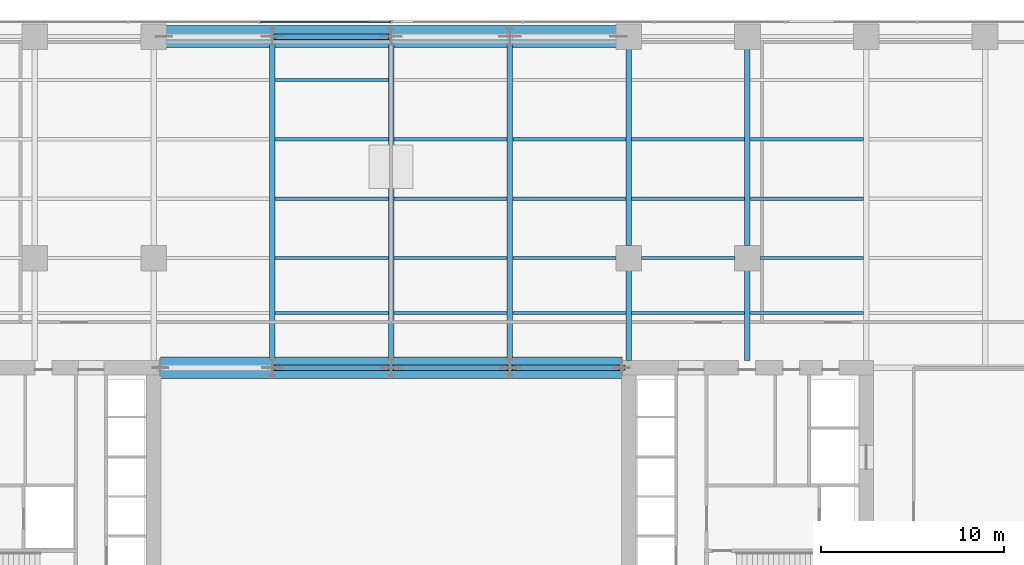
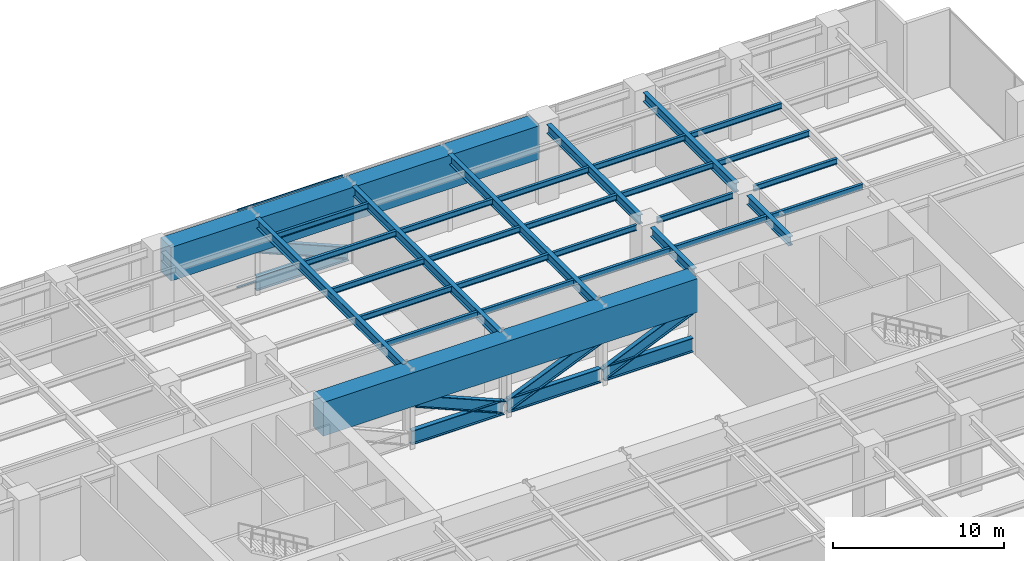
# One storey, part 12 of 25: 34 beams, 6 members, 1 element without a shape of its own.
"""IFC4 building model written with IfcOpenShell, lengths in metres."""

from ifc_helpers import new_model, si_unit, direction, frame, origin, origin_2d, place, context, subcontext, project, spatial, rectangle, i_section, extrude, material, layer, layer_set, material_profile, profile_set, type_object, element, aggregate, save


model = new_model("IFC4")

# Units and contexts
model_context = context("Model", 3, precision=1e-05, world=origin(), true_north=direction((0.0, 1.0)))
body_context = subcontext(model_context, "Body", "Model", "MODEL_VIEW")
ifc_project = project(units=[si_unit("LENGTHUNIT", "METRE"), si_unit("AREAUNIT", "SQUARE_METRE"), si_unit("VOLUMEUNIT", "CUBIC_METRE"), si_unit("PLANEANGLEUNIT", "RADIAN"), si_unit("MASSUNIT", "GRAM", prefix="KILO")], contexts=[model_context])

# Site, building, storey
site_placement = place(None, origin())
site = spatial("IfcSite", under=ifc_project, at=site_placement, CompositionType="ELEMENT")
building_placement = place(site_placement, origin())
building = spatial("IfcBuilding", under=site, at=building_placement, Name="Putna Gate Headquarters", CompositionType="ELEMENT")
storey_placement = place(building_placement, frame((0.0, 0.0, 22.0)))
storey = spatial("IfcBuildingStorey", under=building, at=storey_placement, Name="L04", CompositionType="ELEMENT", Elevation=22.0)

# Beams
ifc_material_1 = material(Name="Steel S355J2", Category="steel")
ifc_material_profile_1 = material_profile(ifc_material_1, i_section(OverallWidth=0.300048828125, OverallDepth=0.64990234375, WebThickness=0.01611328125, FlangeThickness=0.031005859375, at=origin_2d()), Name="Steel S355J2")
ifc_profile_set_1 = profile_set([ifc_material_profile_1], Name="Steel S355J2")
beam_type_1 = type_object("IfcBeamType", Name="BM-GIRD-Z1-HEB650", PredefinedType="USERDEFINED", material=ifc_profile_set_1)
for number, where, z_axis, x_axis, name in (
    (1, (32.5, 33.443115234375, 5.22509765625), (0.0, 1.0, 0.0), (-1.0, 0.0, 0.0), "L04 North Primary Girder X32"),
    (2, (39.0, 33.443115234375, 5.22509765625), (0.0, 1.0, 0.0), (-1.0, 0.0, 0.0), "L04 North Primary Girder X39"),
    (3, (45.5, 33.443115234375, 5.22509765625), (0.0, 1.0, 0.0), (-1.0, 0.0, 0.0), "L04 North Primary Girder X45"),
):
    element("IfcBeam", number, at=place(storey_placement, frame(where, z_axis=z_axis, x_axis=x_axis)), inside=storey, type_object=beam_type_1, Name=name, ObjectType="GIRDER", PredefinedType="USERDEFINED", context=body_context, shape_type="SweptSolid", body=[
        extrude(i_section(OverallWidth=0.300048828125, OverallDepth=0.64990234375, WebThickness=0.01611328125, FlangeThickness=0.031005859375, at=origin_2d()), origin(), (0.0, 0.0, 1.0), 17.23388671875),
    ])
beam_1_placement = place(storey_placement, frame((52.0, 33.385009765625, 5.22509765625), z_axis=(0.0, 1.0, 0.0), x_axis=(-1.0, 0.0, 0.0)))
element("IfcBeam", 4, at=beam_1_placement, inside=storey, type_object=beam_type_1, Name="L04 North Primary Girder X52-1", ObjectType="GIRDER", PredefinedType="USERDEFINED", context=body_context, shape_type="SweptSolid", body=[
    extrude(i_section(OverallWidth=0.300048828125, OverallDepth=0.64990234375, WebThickness=0.01611328125, FlangeThickness=0.031005859375, at=origin_2d()), origin(), (0.0, 0.0, 1.0), 4.927001953125),
])
beam_2_placement = place(storey_placement, frame((52.0, 39.68798828125, 5.22509765625), z_axis=(0.0, 1.0, 0.0), x_axis=(-1.0, 0.0, 0.0)))
element("IfcBeam", 5, at=beam_2_placement, inside=storey, type_object=beam_type_1, Name="L04 North Primary Girder X52-2", ObjectType="GIRDER", PredefinedType="USERDEFINED", context=body_context, shape_type="SweptSolid", body=[
    extrude(i_section(OverallWidth=0.300048828125, OverallDepth=0.64990234375, WebThickness=0.01611328125, FlangeThickness=0.031005859375, at=origin_2d()), origin(), (0.0, 0.0, 1.0), 10.743896484375),
])
beam_3_placement = place(storey_placement, frame((58.5, 33.385009765625, 5.22509765625), z_axis=(0.0, 1.0, 0.0), x_axis=(-1.0, 0.0, 0.0)))
element("IfcBeam", 6, at=beam_3_placement, inside=storey, type_object=beam_type_1, Name="L04 North Primary Girder X58-1", ObjectType="GIRDER", PredefinedType="USERDEFINED", context=body_context, shape_type="SweptSolid", body=[
    extrude(i_section(OverallWidth=0.300048828125, OverallDepth=0.64990234375, WebThickness=0.01611328125, FlangeThickness=0.031005859375, at=origin_2d()), origin(), (0.0, 0.0, 1.0), 4.927001953125),
])
beam_4_placement = place(storey_placement, frame((58.5, 39.68798828125, 5.22509765625), z_axis=(0.0, 1.0, 0.0), x_axis=(-1.0, 0.0, 0.0)))
element("IfcBeam", 7, at=beam_4_placement, inside=storey, type_object=beam_type_1, Name="L04 North Primary Girder X58-2", ObjectType="GIRDER", PredefinedType="USERDEFINED", context=body_context, shape_type="SweptSolid", body=[
    extrude(i_section(OverallWidth=0.300048828125, OverallDepth=0.64990234375, WebThickness=0.01611328125, FlangeThickness=0.031005859375, at=origin_2d()), origin(), (0.0, 0.0, 1.0), 10.743896484375),
])
ifc_material_profile_2 = material_profile(ifc_material_1, i_section(OverallWidth=0.179931640625, OverallDepth=0.39990234375, WebThickness=0.008544921875, FlangeThickness=0.013427734375, at=origin_2d()), Name="Steel S355J2")
ifc_profile_set_2 = profile_set([ifc_material_profile_2], Name="Steel S355J2")
beam_type_2 = type_object("IfcBeamType", Name="BM-SEC-Z1-IPE400", PredefinedType="BEAM", material=ifc_profile_set_2)
for number, where, z_axis, x_axis, name in (
    (8, (32.654052734375, 36.0, 5.35009765625), (1.0, 0.0, 0.0), (0.0, 1.0, 0.0), "L04 North Secondary Beam 5"),
    (9, (32.654052734375, 39.0, 5.35009765625), (1.0, 0.0, 0.0), (0.0, 1.0, 0.0), "L04 North Secondary Beam 5"),
    (10, (32.654052734375, 42.25, 5.35009765625), (1.0, 0.0, 0.0), (0.0, 1.0, 0.0), "L04 North Secondary Beam 5"),
    (11, (32.654052734375, 45.5, 5.35009765625), (1.0, 0.0, 0.0), (0.0, 1.0, 0.0), "L04 North Secondary Beam 5"),
    (12, (32.654052734375, 48.75, 5.35009765625), (1.0, 0.0, 0.0), (0.0, 1.0, 0.0), "L04 North Secondary Beam 5"),
    (13, (39.154052734375, 36.0, 5.35009765625), (1.0, 0.0, 0.0), (0.0, 1.0, 0.0), "L04 North Secondary Beam 6"),
    (14, (39.154052734375, 39.0, 5.35009765625), (1.0, 0.0, 0.0), (0.0, 1.0, 0.0), "L04 North Secondary Beam 6"),
    (15, (39.154052734375, 42.25, 5.35009765625), (1.0, 0.0, 0.0), (0.0, 1.0, 0.0), "L04 North Secondary Beam 6"),
    (16, (39.154052734375, 45.5, 5.35009765625), (1.0, 0.0, 0.0), (0.0, 1.0, 0.0), "L04 North Secondary Beam 6"),
    (17, (45.654052734375, 36.0, 5.35009765625), (1.0, 0.0, 0.0), (0.0, 1.0, 0.0), "L04 North Secondary Beam 7"),
):
    element("IfcBeam", number, at=place(storey_placement, frame(where, z_axis=z_axis, x_axis=x_axis)), inside=storey, type_object=beam_type_2, Name=name, PredefinedType="BEAM", context=body_context, shape_type="SweptSolid", body=[
        extrude(i_section(OverallWidth=0.179931640625, OverallDepth=0.39990234375, WebThickness=0.008544921875, FlangeThickness=0.013427734375, at=origin_2d()), origin(), (0.0, 0.0, 1.0), 6.19189453125),
    ])
beam_5_placement = place(storey_placement, frame((45.654052734375, 39.0, 5.35009765625), z_axis=(1.0, 0.0, 0.0), x_axis=(0.0, 1.0, 0.0)))
element("IfcBeam", 18, at=beam_5_placement, inside=storey, type_object=beam_type_2, Name="L04 North Secondary Beam 7", PredefinedType="BEAM", context=body_context, shape_type="SweptSolid", body=[
    extrude(i_section(OverallWidth=0.179931640625, OverallDepth=0.39990234375, WebThickness=0.008544921875, FlangeThickness=0.013427734375, at=origin_2d()), origin(), (0.0, 0.0, 1.0), 5.657958984375),
])
for number, where, z_axis, x_axis, name in (
    (19, (45.654052734375, 42.25, 5.35009765625), (1.0, 0.0, 0.0), (0.0, 1.0, 0.0), "L04 North Secondary Beam 7"),
    (20, (45.654052734375, 45.5, 5.35009765625), (1.0, 0.0, 0.0), (0.0, 1.0, 0.0), "L04 North Secondary Beam 7"),
    (21, (52.154052734375, 36.0, 5.35009765625), (1.0, 0.0, 0.0), (0.0, 1.0, 0.0), "L04 North Secondary Beam 8"),
):
    element("IfcBeam", number, at=place(storey_placement, frame(where, z_axis=z_axis, x_axis=x_axis)), inside=storey, type_object=beam_type_2, Name=name, PredefinedType="BEAM", context=body_context, shape_type="SweptSolid", body=[
        extrude(i_section(OverallWidth=0.179931640625, OverallDepth=0.39990234375, WebThickness=0.008544921875, FlangeThickness=0.013427734375, at=origin_2d()), origin(), (0.0, 0.0, 1.0), 6.19189453125),
    ])
beam_6_placement = place(storey_placement, frame((52.68798828125, 39.0, 5.35009765625), z_axis=(1.0, 0.0, 0.0), x_axis=(0.0, 1.0, 0.0)))
element("IfcBeam", 22, at=beam_6_placement, inside=storey, type_object=beam_type_2, Name="L04 North Secondary Beam 8", PredefinedType="BEAM", context=body_context, shape_type="SweptSolid", body=[
    extrude(i_section(OverallWidth=0.179931640625, OverallDepth=0.39990234375, WebThickness=0.008544921875, FlangeThickness=0.013427734375, at=origin_2d()), origin(), (0.0, 0.0, 1.0), 5.1240234375),
])
for number, where, z_axis, x_axis, name in (
    (23, (52.154052734375, 42.25, 5.35009765625), (1.0, 0.0, 0.0), (0.0, 1.0, 0.0), "L04 North Secondary Beam 8"),
    (24, (52.154052734375, 45.5, 5.35009765625), (1.0, 0.0, 0.0), (0.0, 1.0, 0.0), "L04 North Secondary Beam 8"),
    (25, (58.654052734375, 36.0, 5.35009765625), (1.0, 0.0, 0.0), (0.0, 1.0, 0.0), "L04 North Secondary Beam 9"),
):
    element("IfcBeam", number, at=place(storey_placement, frame(where, z_axis=z_axis, x_axis=x_axis)), inside=storey, type_object=beam_type_2, Name=name, PredefinedType="BEAM", context=body_context, shape_type="SweptSolid", body=[
        extrude(i_section(OverallWidth=0.179931640625, OverallDepth=0.39990234375, WebThickness=0.008544921875, FlangeThickness=0.013427734375, at=origin_2d()), origin(), (0.0, 0.0, 1.0), 6.19189453125),
    ])
beam_7_placement = place(storey_placement, frame((59.18798828125, 39.0, 5.35009765625), z_axis=(1.0, 0.0, 0.0), x_axis=(0.0, 1.0, 0.0)))
element("IfcBeam", 26, at=beam_7_placement, inside=storey, type_object=beam_type_2, Name="L04 North Secondary Beam 9", PredefinedType="BEAM", context=body_context, shape_type="SweptSolid", body=[
    extrude(i_section(OverallWidth=0.179931640625, OverallDepth=0.39990234375, WebThickness=0.008544921875, FlangeThickness=0.013427734375, at=origin_2d()), origin(), (0.0, 0.0, 1.0), 5.657958984375),
])
for number, where, z_axis, x_axis, name in (
    (27, (58.654052734375, 42.25, 5.35009765625), (1.0, 0.0, 0.0), (0.0, 1.0, 0.0), "L04 North Secondary Beam 9"),
    (28, (58.654052734375, 45.5, 5.35009765625), (1.0, 0.0, 0.0), (0.0, 1.0, 0.0), "L04 North Secondary Beam 9"),
):
    element("IfcBeam", number, at=place(storey_placement, frame(where, z_axis=z_axis, x_axis=x_axis)), inside=storey, type_object=beam_type_2, Name=name, PredefinedType="BEAM", context=body_context, shape_type="SweptSolid", body=[
        extrude(i_section(OverallWidth=0.179931640625, OverallDepth=0.39990234375, WebThickness=0.008544921875, FlangeThickness=0.013427734375, at=origin_2d()), origin(), (0.0, 0.0, 1.0), 6.19189453125),
    ])
ifc_material_2 = material(Name="Steel S460M", Category="steel")
ifc_material_profile_3 = material_profile(ifc_material_2, i_section(OverallWidth=0.302001953125, OverallDepth=1.008056640625, WebThickness=0.02099609375, FlangeThickness=0.0400390625, at=origin_2d()), Name="Steel S460M")
ifc_profile_set_3 = profile_set([ifc_material_profile_3], Name="Steel S460M")
beam_type_3 = type_object("IfcBeamType", Name="BM-TG-HEM1000", PredefinedType="USERDEFINED", material=ifc_profile_set_3)
for number, where, z_axis, x_axis, name in (
    (29, (32.639892578125, 33.0, 0.550048828125), (1.0, 0.0, 0.0), (0.0, 1.0, 0.0), "L04 Transfer Truss AN Bottom Chord Girder 2"),
    (30, (39.139892578125, 33.0, 0.550048828125), (1.0, 0.0, 0.0), (0.0, 1.0, 0.0), "L04 Transfer Truss AN Bottom Chord Girder 3"),
):
    element("IfcBeam", number, at=place(storey_placement, frame(where, z_axis=z_axis, x_axis=x_axis)), inside=storey, type_object=beam_type_3, Name=name, ObjectType="GIRDER", PredefinedType="USERDEFINED", context=body_context, shape_type="SweptSolid", body=[
        extrude(i_section(OverallWidth=0.302001953125, OverallDepth=1.008056640625, WebThickness=0.02099609375, FlangeThickness=0.0400390625, at=origin_2d()), origin(), (0.0, 0.0, 1.0), 6.22021484375),
    ])
beam_8_placement = place(storey_placement, frame((45.639892578125, 33.0, 0.550048828125), z_axis=(1.0, 0.0, 0.0), x_axis=(0.0, 1.0, 0.0)))
element("IfcBeam", 31, at=beam_8_placement, inside=storey, type_object=beam_type_3, Name="L04 Transfer Truss AN Bottom Chord Girder 4", ObjectType="GIRDER", PredefinedType="USERDEFINED", context=body_context, shape_type="SweptSolid", body=[
    extrude(i_section(OverallWidth=0.302001953125, OverallDepth=1.008056640625, WebThickness=0.02099609375, FlangeThickness=0.0400390625, at=origin_2d()), origin(), (0.0, 0.0, 1.0), 5.980224609375),
])
ifc_material_profile_4 = material_profile(ifc_material_2, i_section(OverallWidth=0.302001953125, OverallDepth=1.008056640625, WebThickness=0.02099609375, FlangeThickness=0.0400390625, at=origin_2d()), Name="Steel S460M")
ifc_profile_set_4 = profile_set([ifc_material_profile_4], Name="Steel S460M")
beam_type_4 = type_object("IfcBeamType", Name="BM-TG-HEM1000-EXT", PredefinedType="USERDEFINED", material=ifc_profile_set_4)
beam_9_placement = place(storey_placement, frame((32.639892578125, 51.1201171875, 0.550048828125), z_axis=(1.0, 0.0, 0.0), x_axis=(0.0, 1.0, 0.0)))
element("IfcBeam", 32, at=beam_9_placement, inside=storey, type_object=beam_type_4, Name="L04 Transfer Truss N Bottom Chord Girder 2", ObjectType="GIRDER", PredefinedType="USERDEFINED", context=body_context, shape_type="SweptSolid", body=[
    extrude(i_section(OverallWidth=0.302001953125, OverallDepth=1.008056640625, WebThickness=0.02099609375, FlangeThickness=0.0400390625, at=origin_2d()), origin(), (0.0, 0.0, 1.0), 6.22021484375),
])
ifc_material_3 = material(Name="Concrete C50/60", Category="concrete")
ifc_material_profile_5 = material_profile(ifc_material_3, rectangle(XDim=1.199951171875, YDim=2.39990234375, at=origin_2d()), Name="Concrete C50/60")
ifc_profile_set_5 = profile_set([ifc_material_profile_5], Name="Concrete C50/60")
beam_type_5 = type_object("IfcBeamType", Name="BM-TG-RC2400", PredefinedType="USERDEFINED", material=ifc_profile_set_5)
beam_10_placement = place(storey_placement, frame((26.3798828125, 33.0, 4.35009765625), z_axis=(1.0, 0.0, 0.0), x_axis=(0.0, 1.0, 0.0)))
element("IfcBeam", 33, at=beam_10_placement, inside=storey, type_object=beam_type_5, Name="L04 Upper Transfer Girder AN", ObjectType="GIRDER", PredefinedType="USERDEFINED", context=body_context, shape_type="SweptSolid", body=[
    extrude(rectangle(XDim=1.199951171875, YDim=2.39990234375, at=origin_2d()), origin(), (0.0, 0.0, 1.0), 25.240234375),
])
ifc_material_profile_6 = material_profile(ifc_material_3, rectangle(XDim=1.199951171875, YDim=2.39990234375, at=origin_2d()), Name="Concrete C50/60")
ifc_profile_set_6 = profile_set([ifc_material_profile_6], Name="Concrete C50/60")
beam_type_6 = type_object("IfcBeamType", Name="BM-TG-RC2400-EXT", PredefinedType="USERDEFINED", material=ifc_profile_set_6)
beam_11_placement = place(storey_placement, frame((26.56005859375, 51.1201171875, 4.35009765625), z_axis=(1.0, 0.0, 0.0), x_axis=(0.0, 1.0, 0.0)))
element("IfcBeam", 34, at=beam_11_placement, inside=storey, type_object=beam_type_6, Name="L04 Upper Transfer Girder N", ObjectType="GIRDER", PredefinedType="USERDEFINED", context=body_context, shape_type="SweptSolid", body=[
    extrude(rectangle(XDim=1.199951171875, YDim=2.39990234375, at=origin_2d()), origin(), (0.0, 0.0, 1.0), 24.8798828125),
])

# Members
ifc_material_profile_7 = material_profile(ifc_material_2, i_section(OverallWidth=0.302978515625, OverallDepth=0.81396484375, WebThickness=0.02099609375, FlangeThickness=0.0400390625, at=origin_2d()), Name="Steel S460M")
ifc_profile_set_7 = profile_set([ifc_material_profile_7], Name="Steel S460M")
member_type_1 = type_object("IfcMemberType", Name="MEM-TRUSS-DIAG-EXT-HEM800", PredefinedType="BRACE", material=ifc_profile_set_7)
member_1_placement = place(storey_placement, frame((32.639892578125, 51.1201171875, 3.179931640625), z_axis=(0.921060029632, 0.0, -0.389420623251), x_axis=(0.0, 1.0, 0.0)))
element("IfcMember", 35, at=member_1_placement, inside=storey, type_object=member_type_1, Name="L04 Transfer Truss N Diagonal 2", PredefinedType="BRACE", context=body_context, shape_type="SweptSolid", body=[
    extrude(i_section(OverallWidth=0.302978515625, OverallDepth=0.81396484375, WebThickness=0.02099609375, FlangeThickness=0.0400390625, at=origin_2d()), origin(), (0.0, 0.0, 1.0), 6.75341796875),
])
ifc_material_profile_8 = material_profile(ifc_material_2, i_section(OverallWidth=0.302978515625, OverallDepth=0.81396484375, WebThickness=0.02099609375, FlangeThickness=0.0400390625, at=origin_2d()), Name="Steel S460M")
ifc_profile_set_8 = profile_set([ifc_material_profile_8], Name="Steel S460M")
member_type_2 = type_object("IfcMemberType", Name="MEM-TRUSS-DIAG-HEM800", PredefinedType="BRACE", material=ifc_profile_set_8)
for number, where, z_axis, x_axis, name in (
    (36, (32.639892578125, 33.0, 3.179931640625), (0.921060029632, 0.0, -0.389420623251), (0.0, 1.0, 0.0), "L04 Transfer Truss AN Diagonal 2"),
    (37, (39.139892578125, 33.0, 0.550048828125), (0.921060029632, 0.0, 0.389420623251), (0.0, 1.0, 0.0), "L04 Transfer Truss AN Diagonal 3"),
):
    element("IfcMember", number, at=place(storey_placement, frame(where, z_axis=z_axis, x_axis=x_axis)), inside=storey, type_object=member_type_2, Name=name, PredefinedType="BRACE", context=body_context, shape_type="SweptSolid", body=[
        extrude(i_section(OverallWidth=0.302978515625, OverallDepth=0.81396484375, WebThickness=0.02099609375, FlangeThickness=0.0400390625, at=origin_2d()), origin(), (0.0, 0.0, 1.0), 6.75341796875),
    ])
member_2_placement = place(storey_placement, frame((45.639892578125, 33.0, 0.550048828125), z_axis=(0.915394915537, 0.0, 0.402557012867), x_axis=(0.0, 1.0, 0.0)))
element("IfcMember", 38, at=member_2_placement, inside=storey, type_object=member_type_2, Name="L04 Transfer Truss AN Diagonal 4", PredefinedType="BRACE", context=body_context, shape_type="SweptSolid", body=[
    extrude(i_section(OverallWidth=0.302978515625, OverallDepth=0.81396484375, WebThickness=0.02099609375, FlangeThickness=0.0400390625, at=origin_2d()), origin(), (0.0, 0.0, 1.0), 6.532958984375),
])

# Curtain wall, members
ifc_material_4 = material(Name="Anodised bronze aluminium curtain wall", Category="aluminium")
ifc_layer = layer(ifc_material_4, 0.159912109375)
ifc_layer_set = layer_set([ifc_layer], Name="Anodised bronze aluminium curtain wall")
curtain_wall_type = type_object("IfcCurtainWallType", Name="CW-SYS-CRN", PredefinedType="USERDEFINED", material=ifc_layer_set)
curtain_wall_placement = place(storey_placement, origin())
curtain_wall = element("IfcCurtainWall", 39, at=curtain_wall_placement, inside=storey, type_object=curtain_wall_type, Name="L04 Acoustic Louvre North Enclosure", ObjectType="STICK CURTAIN WALL", PredefinedType="USERDEFINED")
ifc_material_5 = material(Name="Anodised bronze aluminium EN AW-6060", Category="aluminium")
ifc_material_profile_9 = material_profile(ifc_material_5, rectangle(XDim=0.06494140625, YDim=0.1201171875, at=origin_2d()), Name="Anodised bronze aluminium EN AW-6060")
ifc_profile_set_9 = profile_set([ifc_material_profile_9], Name="Anodised bronze aluminium EN AW-6060")
member_type_3 = type_object("IfcMemberType", Name="TRAN-CWT-CR", PredefinedType="USERDEFINED", material=ifc_profile_set_9)
member_3_placement = place(storey_placement, frame((31.83251953125, 51.919921875, 0.032470703125), z_axis=(1.0, 0.0, 0.0), x_axis=(0.0, 1.0, 0.0)))
member_3 = element("IfcMember", 40, at=member_3_placement, type_object=member_type_3, Name="CWS-CR transom 5.1", ObjectType="TRANSOM", PredefinedType="USERDEFINED", context=body_context, shape_type="SweptSolid", body=[
    extrude(rectangle(XDim=0.06494140625, YDim=0.1201171875, at=origin_2d()), origin(), (0.0, 0.0, 1.0), 7.135009765625),
])
member_4_placement = place(storey_placement, frame((31.83251953125, 51.919921875, 5.517578125), z_axis=(1.0, 0.0, 0.0), x_axis=(0.0, 1.0, 0.0)))
member_4 = element("IfcMember", 41, at=member_4_placement, type_object=member_type_3, Name="CWS-CR transom 5.2", ObjectType="TRANSOM", PredefinedType="USERDEFINED", context=body_context, shape_type="SweptSolid", body=[
    extrude(rectangle(XDim=0.06494140625, YDim=0.1201171875, at=origin_2d()), origin(), (0.0, 0.0, 1.0), 7.135009765625),
])
aggregate(curtain_wall, [member_3, member_4])

save(model, "model.ifc")
